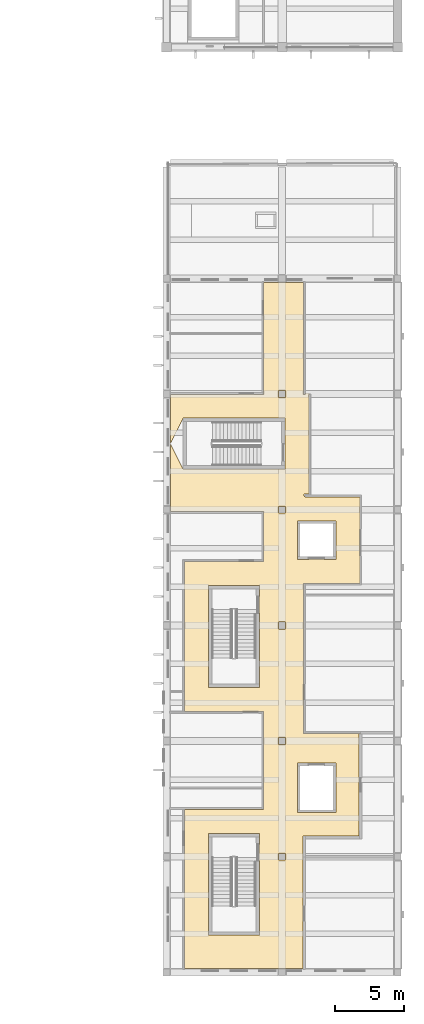
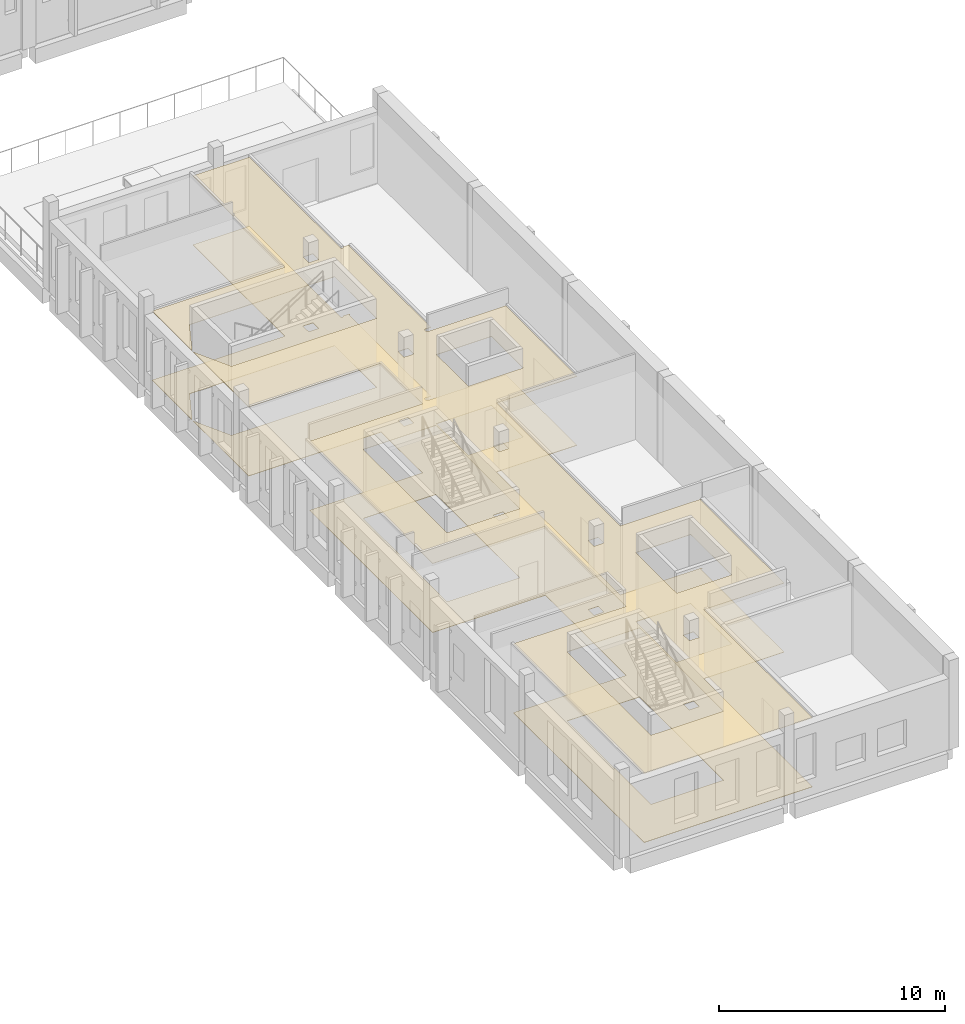
# One storey, part 64 of 79: 2 coverings.
"""IFC4 building model written with IfcOpenShell, lengths in metres."""

from ifc_helpers import new_model, si_unit, direction, frame, origin, place, context, subcontext, project, spatial, polyline, outline, extrude, material, layer, layer_set, type_object, element, save


model = new_model("IFC4")

# Units and contexts
model_context = context("Model", 3, precision=1e-05, world=origin(), true_north=direction((0.0, 1.0)))
body_context = subcontext(model_context, "Body", "Model", "MODEL_VIEW")
ifc_project = project(units=[si_unit("LENGTHUNIT", "METRE"), si_unit("AREAUNIT", "SQUARE_METRE"), si_unit("VOLUMEUNIT", "CUBIC_METRE"), si_unit("PLANEANGLEUNIT", "RADIAN"), si_unit("MASSUNIT", "GRAM", prefix="KILO")], contexts=[model_context])

# Site, building, storey
site_placement = place(None, origin())
site = spatial("IfcSite", under=ifc_project, at=site_placement, CompositionType="ELEMENT")
building_placement = place(site_placement, origin())
building = spatial("IfcBuilding", under=site, at=building_placement, Name="Larchfold Concert Hall", CompositionType="ELEMENT")
storey_placement = place(building_placement, frame((0.0, 0.0, 14.39990234375)))
storey = spatial("IfcBuildingStorey", under=building, at=storey_placement, Name="L03", CompositionType="ELEMENT", Elevation=14.39990234375)

# Coverings
ifc_material_1 = material(Name="Mineral fibre ceiling tile")
ifc_layer_1 = layer(ifc_material_1, 0.02001953125)
ifc_layer_set_1 = layer_set([ifc_layer_1], Name="Mineral fibre ceiling tile")
covering_type_1 = type_object("IfcCoveringType", Name="Ceiling mineral fibre tile 20", PredefinedType="CEILING", material=ifc_layer_set_1)
covering_1_placement = place(storey_placement, frame((0.0, 0.0, 3.72021484375)))
element("IfcCovering", 1, at=covering_1_placement, inside=storey, type_object=covering_type_1, Name="Ceiling Corridor 01", PredefinedType="CEILING", context=body_context, shape_type="SweptSolid", body=[
    extrude(outline(polyline([(85.7822265625, 37.2080078125), (84.900146484375, 38.959716796875), (84.900146484375, 34.0625), (91.66259765625, 34.0625), (91.66357421875, 30.4365234375), (85.91357421875, 30.4365234375), (85.91357421875, 19.5634765625), (91.66357421875, 19.5634765625), (91.66357421875, 14.050048828125), (91.66259765625, 12.4375), (85.91259765625, 12.4375), (85.91259765625, 0.900146484375), (94.5, 0.900146484375), (94.5, 10.5), (98.599853515625, 10.5), (98.598876953125, 17.89990234375), (98.699462890625, 17.89990234375), (98.698974609375, 17.9375), (94.53662109375, 17.9375), (94.53662109375, 28.863525390625), (98.636474609375, 28.863525390625), (98.636474609375, 35.136474609375), (98.698974609375, 35.136474609375), (94.66162109375, 35.137451171875), (94.66162109375, 35.19970703125), (94.59912109375, 35.19970703125), (94.599609375, 35.350830078125), (94.9365234375, 35.350830078125), (94.9365234375, 42.58642578125), (94.9990234375, 42.58642578125), (94.9990234375, 42.649169921875), (94.661376953125, 42.64990234375), (94.661376953125, 42.58740234375), (94.536376953125, 42.58740234375), (94.53759765625, 50.699951171875), (91.66259765625, 50.699951171875), (91.66357421875, 42.58642578125), (84.900146484375, 42.58642578125), (84.900146484375, 39.040283203125), (85.7822265625, 40.7919921875), (85.800048828125, 40.802978515625), (85.800048828125, 40.85009765625), (93.199951171875, 40.85009765625), (93.199951171875, 37.14990234375), (85.800048828125, 37.14990234375), (85.800048828125, 37.197021484375), (85.7822265625, 37.2080078125)]), holes=[polyline([(94.10009765625, 12.199951171875), (94.10009765625, 15.800048828125), (96.89990234375, 15.800048828125), (96.89990234375, 12.199951171875), (94.10009765625, 12.199951171875)]), polyline([(94.10009765625, 30.60009765625), (94.10009765625, 33.39990234375), (96.89990234375, 33.39990234375), (96.89990234375, 30.60009765625), (94.10009765625, 30.60009765625)]), polyline([(92.75, 9.25), (93.25, 9.25), (93.25, 8.75), (92.75, 8.75), (92.75, 9.25)]), polyline([(92.75, 26.050048828125), (93.25, 26.050048828125), (93.25, 25.550048828125), (92.75, 25.550048828125), (92.75, 26.050048828125)]), polyline([(93.25, 17.64990234375), (93.25, 17.14990234375), (92.75, 17.14990234375), (92.75, 17.64990234375), (93.25, 17.64990234375)]), polyline([(93.25, 33.949951171875), (92.75, 33.949951171875), (92.75, 34.449951171875), (93.25, 34.449951171875), (93.25, 33.949951171875)]), polyline([(93.25, 42.85009765625), (93.25, 42.35009765625), (92.75, 42.35009765625), (92.75, 42.85009765625), (93.25, 42.85009765625)]), polyline([(91.35009765625, 3.300048828125), (87.64990234375, 3.300048828125), (87.64990234375, 10.699951171875), (91.35009765625, 10.699951171875), (91.35009765625, 3.300048828125)]), polyline([(91.35009765625, 21.300048828125), (87.64990234375, 21.300048828125), (87.64990234375, 28.699951171875), (91.342529296875, 28.699951171875), (91.35009765625, 28.696044921875), (91.35009765625, 21.300048828125)])]), origin(), (0.0, 0.0, 1.0), 0.02001953125),
])
ifc_material_2 = material(Name="Linoleum sheet")
ifc_layer_2 = layer(ifc_material_2, 0.02001953125)
ifc_layer_set_2 = layer_set([ifc_layer_2], Name="Linoleum sheet")
covering_type_2 = type_object("IfcCoveringType", Name="Floor finish vinyl 20", PredefinedType="FLOORING", material=ifc_layer_set_2)
covering_2_placement = place(storey_placement, origin())
element("IfcCovering", 2, at=covering_2_placement, inside=storey, type_object=covering_type_2, Name="Floor finish Corridor 01", PredefinedType="FLOORING", context=body_context, shape_type="SweptSolid", body=[
    extrude(outline(polyline([(85.7822265625, 37.2080078125), (84.900146484375, 38.959716796875), (84.900146484375, 34.0625), (91.66259765625, 34.0625), (91.66357421875, 30.4365234375), (85.91357421875, 30.4365234375), (85.91357421875, 19.5634765625), (91.66357421875, 19.5634765625), (91.66357421875, 14.050048828125), (91.66259765625, 12.4375), (85.91259765625, 12.4375), (85.91259765625, 0.900146484375), (94.5, 0.900146484375), (94.5, 10.5), (98.599853515625, 10.5), (98.598876953125, 17.89990234375), (98.699462890625, 17.89990234375), (98.698974609375, 17.9375), (94.53662109375, 17.9375), (94.53662109375, 28.863525390625), (98.636474609375, 28.863525390625), (98.636474609375, 35.136474609375), (98.698974609375, 35.136474609375), (94.66162109375, 35.137451171875), (94.66162109375, 35.19970703125), (94.59912109375, 35.19970703125), (94.599609375, 35.350830078125), (94.9365234375, 35.350830078125), (94.9365234375, 42.58642578125), (94.9990234375, 42.58642578125), (94.9990234375, 42.649169921875), (94.661376953125, 42.64990234375), (94.661376953125, 42.58740234375), (94.536376953125, 42.58740234375), (94.53759765625, 50.699951171875), (91.66259765625, 50.699951171875), (91.66357421875, 42.58642578125), (84.900146484375, 42.58642578125), (84.900146484375, 39.040283203125), (85.7822265625, 40.7919921875), (85.800048828125, 40.802978515625), (85.800048828125, 40.85009765625), (93.199951171875, 40.85009765625), (93.199951171875, 37.14990234375), (85.800048828125, 37.14990234375), (85.800048828125, 37.197021484375), (85.7822265625, 37.2080078125)]), holes=[polyline([(94.10009765625, 12.199951171875), (94.10009765625, 15.800048828125), (96.89990234375, 15.800048828125), (96.89990234375, 12.199951171875), (94.10009765625, 12.199951171875)]), polyline([(94.10009765625, 30.60009765625), (94.10009765625, 33.39990234375), (96.89990234375, 33.39990234375), (96.89990234375, 30.60009765625), (94.10009765625, 30.60009765625)]), polyline([(92.75, 9.25), (93.25, 9.25), (93.25, 8.75), (92.75, 8.75), (92.75, 9.25)]), polyline([(92.75, 26.050048828125), (93.25, 26.050048828125), (93.25, 25.550048828125), (92.75, 25.550048828125), (92.75, 26.050048828125)]), polyline([(93.25, 17.64990234375), (93.25, 17.14990234375), (92.75, 17.14990234375), (92.75, 17.64990234375), (93.25, 17.64990234375)]), polyline([(93.25, 33.949951171875), (92.75, 33.949951171875), (92.75, 34.449951171875), (93.25, 34.449951171875), (93.25, 33.949951171875)]), polyline([(93.25, 42.85009765625), (93.25, 42.35009765625), (92.75, 42.35009765625), (92.75, 42.85009765625), (93.25, 42.85009765625)]), polyline([(91.35009765625, 3.300048828125), (87.64990234375, 3.300048828125), (87.64990234375, 10.699951171875), (91.35009765625, 10.699951171875), (91.35009765625, 3.300048828125)]), polyline([(91.35009765625, 21.300048828125), (87.64990234375, 21.300048828125), (87.64990234375, 28.699951171875), (91.342529296875, 28.699951171875), (91.35009765625, 28.696044921875), (91.35009765625, 21.300048828125)])]), origin(), (0.0, 0.0, 1.0), 0.02001953125),
])

save(model, "model.ifc")
